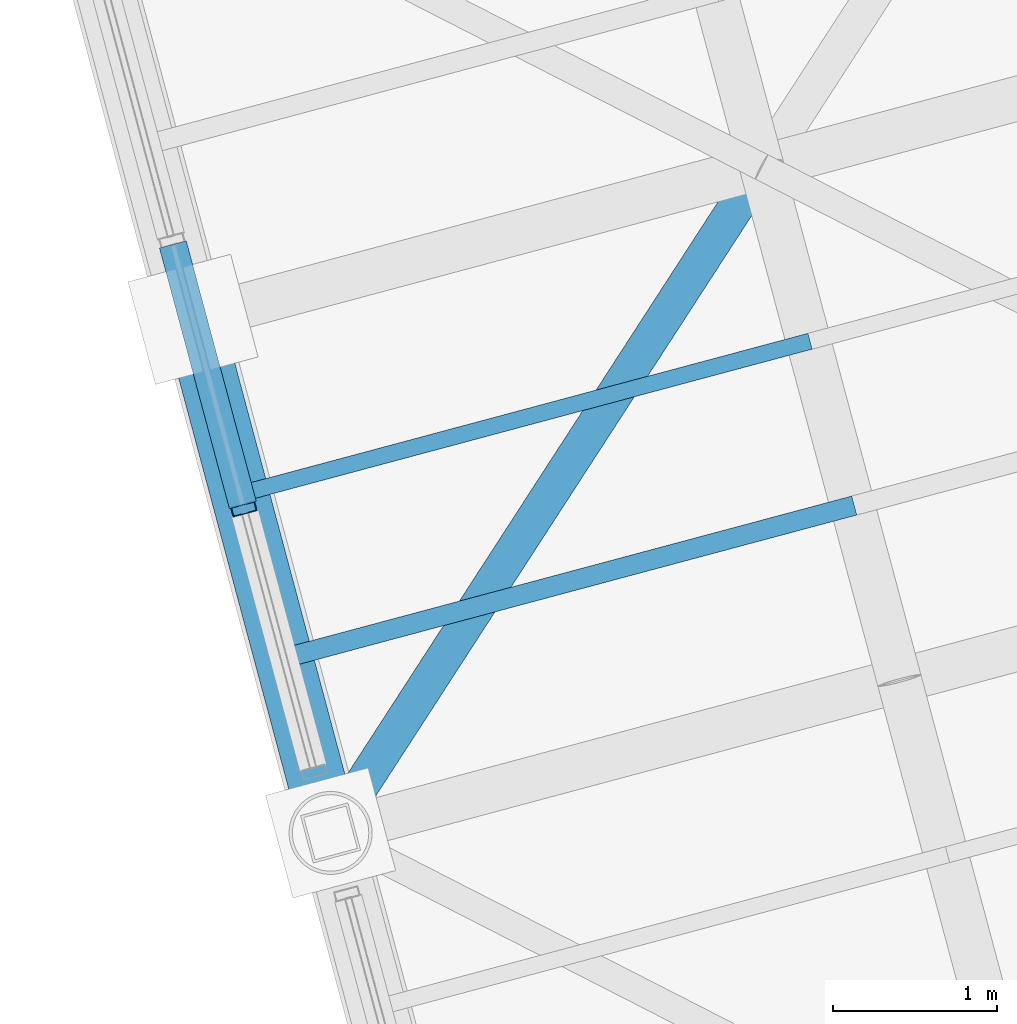
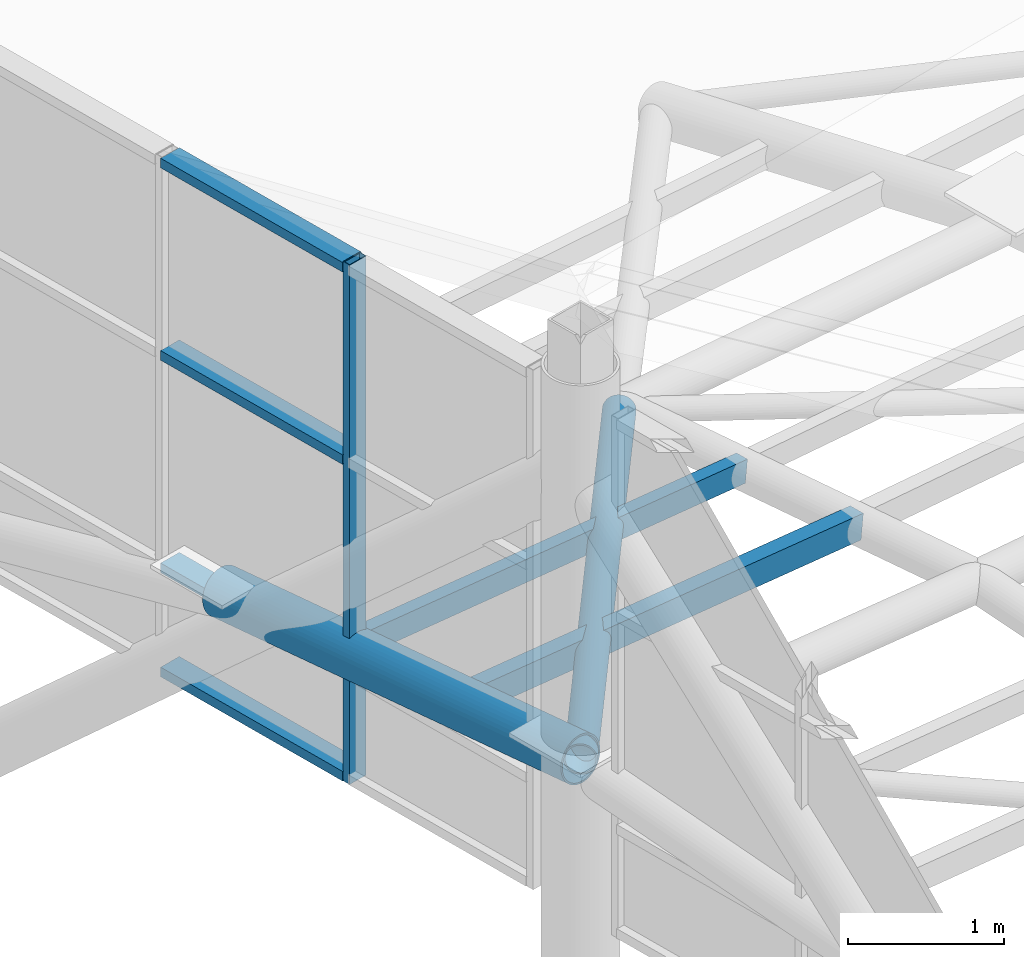
# One storey, part 3 of 28: 9 members, 1 element without a shape of its own.
"""IFC4 building model written with IfcOpenShell, lengths in metres."""

from ifc_helpers import new_model, si_unit, direction, frame, origin, origin_2d, place, context, subcontext, project, spatial, hollow_rectangle, hollow_circle, extrude, material, layer, layer_set, material_profile, profile_set, type_object, element, aggregate, save


model = new_model("IFC4")

# Units and contexts
model_context = context("Model", 3, precision=1e-05, world=origin(), true_north=direction((0.0, 1.0)))
body_context = subcontext(model_context, "Body", "Model", "MODEL_VIEW")
ifc_project = project(units=[si_unit("LENGTHUNIT", "METRE"), si_unit("AREAUNIT", "SQUARE_METRE"), si_unit("VOLUMEUNIT", "CUBIC_METRE"), si_unit("PLANEANGLEUNIT", "RADIAN"), si_unit("MASSUNIT", "GRAM", prefix="KILO")], contexts=[model_context])

# Site, building, storey
site_placement = place(None, origin())
site = spatial("IfcSite", under=ifc_project, at=site_placement, CompositionType="ELEMENT")
building_placement = place(site_placement, origin())
building = spatial("IfcBuilding", under=site, at=building_placement, Name="Ventoquebrada Cableway Terminal", CompositionType="ELEMENT")
storey_placement = place(building_placement, frame((0.0, 0.0, 23.39990234375)))
storey = spatial("IfcBuildingStorey", under=building, at=storey_placement, Name="RF", CompositionType="ELEMENT", Elevation=23.39990234375)

# Members
ifc_material_1 = material(Name="Steel ASTM A500 Grade C", Category="steel")
ifc_material_profile_1 = material_profile(ifc_material_1, hollow_circle(Radius=0.109619140625, WallThickness=0.010009765625, at=origin_2d()), Name="CHS219.1X10")
ifc_profile_set_1 = profile_set([ifc_material_profile_1], Name="Steel ASTM A500 Grade C")
member_type_1 = type_object("IfcMemberType", Name="BRC-GS01", PredefinedType="BRACE", material=ifc_profile_set_1)
member_1_placement = place(storey_placement, frame((48.613037109375, 82.341064453125, 1.10009765625), z_axis=(0.538732586686, 0.831716126562, -0.134221774907), x_axis=(-0.839310782724, 0.543651919892, 0.0)))
element("IfcMember", 1, at=member_1_placement, inside=storey, type_object=member_type_1, Name="Saddle gridshell diagrid brace GBR-0205", PredefinedType="BRACE", context=body_context, shape_type="SweptSolid", body=[
    extrude(hollow_circle(Radius=0.109619140625, WallThickness=0.010009765625, at=origin_2d()), origin(), (0.0, 0.0, 1.0), 4.894775390625),
])
ifc_material_profile_2 = material_profile(ifc_material_1, hollow_circle(Radius=0.177734375, WallThickness=0.012451171875, at=origin_2d()), Name="CHS355.6X12.5")
ifc_profile_set_2 = profile_set([ifc_material_profile_2], Name="Steel ASTM A500 Grade C")
member_type_2 = type_object("IfcMemberType", Name="CHD-GS01", PredefinedType="CHORD", material=ifc_profile_set_2)
member_2_placement = place(storey_placement, frame((48.613037109375, 82.341064453125, 1.10009765625), z_axis=(-0.257697813215, 0.962046901528, -0.089764114908), x_axis=(-0.965946375494, -0.258742342242, 0.0)))
element("IfcMember", 2, at=member_2_placement, inside=storey, type_object=member_type_2, Name="Saddle gridshell arch chord GCH-0019", PredefinedType="CHORD", context=body_context, shape_type="SweptSolid", body=[
    extrude(hollow_circle(Radius=0.177734375, WallThickness=0.012451171875, at=origin_2d()), origin(), (0.0, 0.0, 1.0), 3.263671875),
])

# Curtain wall, members
ifc_material_2 = material(Name="Anodized thermally-broken aluminium", Category="aluminium")
ifc_layer = layer(ifc_material_2, 0.159912109375)
ifc_layer_set = layer_set([ifc_layer], Name="Anodized thermally-broken aluminium")
curtain_wall_type = type_object("IfcCurtainWallType", Name="CW-T50", PredefinedType="USERDEFINED", material=ifc_layer_set)
curtain_wall_placement = place(storey_placement, origin())
curtain_wall = element("IfcCurtainWall", 3, at=curtain_wall_placement, inside=storey, type_object=curtain_wall_type, Name="Unitised glazed curtain wall CW-163", ObjectType="UNITISED CURTAIN WALL", PredefinedType="USERDEFINED")
ifc_material_profile_3 = material_profile(ifc_material_2, hollow_rectangle(XDim=0.06005859375, YDim=0.14990234375, WallThickness=0.00390625, at=origin_2d()), Name="CW-MUL-60X150")
ifc_profile_set_3 = profile_set([ifc_material_profile_3], Name="Anodized thermally-broken aluminium")
member_type_3 = type_object("IfcMemberType", Name="CWM-03", PredefinedType="MULLION", material=ifc_profile_set_3)
member_3_placement = place(storey_placement, frame((48.0830078125, 84.321044921875, -0.06298828125), z_axis=(0.0, 0.0, 1.0), x_axis=(0.258802186477, -0.965930343386, 0.0)))
member_3 = element("IfcMember", 4, at=member_3_placement, type_object=member_type_3, Name="Curtain wall mullion FML-0794", PredefinedType="MULLION", context=body_context, shape_type="SweptSolid", body=[
    extrude(hollow_rectangle(XDim=0.06005859375, YDim=0.14990234375, WallThickness=0.00390625, at=origin_2d()), origin(), (0.0, 0.0, 1.0), 4.068115234375),
])
ifc_material_profile_4 = material_profile(ifc_material_2, hollow_rectangle(XDim=0.074951171875, YDim=0.169921875, WallThickness=0.00439453125, at=origin_2d()), Name="CW-TRN-75X170")
ifc_profile_set_4 = profile_set([ifc_material_profile_4], Name="Anodized thermally-broken aluminium")
member_type_4 = type_object("IfcMemberType", Name="CWT-03", PredefinedType="USERDEFINED", material=ifc_profile_set_4)
member_4_placement = place(storey_placement, frame((47.64892578125, 85.93896484375, -0.02001953125), z_axis=(0.259310305754, -0.965794059481, 0.0), x_axis=(0.0, 0.0, 1.0)))
member_4 = element("IfcMember", 5, at=member_4_placement, type_object=member_type_4, Name="Curtain wall transom FTR-2320", ObjectType="TRANSOM", PredefinedType="USERDEFINED", context=body_context, shape_type="SweptSolid", body=[
    extrude(hollow_rectangle(XDim=0.074951171875, YDim=0.169921875, WallThickness=0.00439453125, at=origin_2d()), origin(), (0.0, 0.0, 1.0), 1.650390625),
])
member_5_placement = place(storey_placement, frame((47.64892578125, 85.93896484375, 0.795166015625), z_axis=(0.259310305754, -0.965794059481, 0.0), x_axis=(0.0, 0.0, 1.0)))
member_5 = element("IfcMember", 6, at=member_5_placement, type_object=member_type_4, Name="Curtain wall transom FTR-2321", ObjectType="TRANSOM", PredefinedType="USERDEFINED", context=body_context, shape_type="SweptSolid", body=[
    extrude(hollow_rectangle(XDim=0.074951171875, YDim=0.169921875, WallThickness=0.00439453125, at=origin_2d()), origin(), (0.0, 0.0, 1.0), 1.650390625),
])
member_6_placement = place(storey_placement, frame((47.64892578125, 85.93896484375, 2.458984375), z_axis=(0.259310305754, -0.965794059481, 0.0), x_axis=(0.0, 0.0, 1.0)))
member_6 = element("IfcMember", 7, at=member_6_placement, type_object=member_type_4, Name="Curtain wall transom FTR-2322", ObjectType="TRANSOM", PredefinedType="USERDEFINED", context=body_context, shape_type="SweptSolid", body=[
    extrude(hollow_rectangle(XDim=0.074951171875, YDim=0.169921875, WallThickness=0.00439453125, at=origin_2d()), origin(), (0.0, 0.0, 1.0), 1.650390625),
])
member_7_placement = place(storey_placement, frame((47.64892578125, 85.93896484375, 3.965087890625), z_axis=(0.259310305754, -0.965794059481, 0.0), x_axis=(0.0, 0.0, 1.0)))
member_7 = element("IfcMember", 8, at=member_7_placement, type_object=member_type_4, Name="Curtain wall transom FTR-2323", ObjectType="TRANSOM", PredefinedType="USERDEFINED", context=body_context, shape_type="SweptSolid", body=[
    extrude(hollow_rectangle(XDim=0.074951171875, YDim=0.169921875, WallThickness=0.00439453125, at=origin_2d()), origin(), (0.0, 0.0, 1.0), 1.650390625),
])
aggregate(curtain_wall, [member_3, member_4, member_5, member_6, member_7])

# Members
ifc_material_profile_5 = material_profile(ifc_material_1, hollow_rectangle(XDim=0.1201171875, YDim=0.199951171875, WallThickness=0.008056640625, at=origin_2d()), Name="RHS200X120X8")
ifc_profile_set_5 = profile_set([ifc_material_profile_5], Name="Steel ASTM A500 Grade C")
member_type_5 = type_object("IfcMemberType", Name="PUR-RF01", PredefinedType="PURLIN", material=ifc_profile_set_5)
member_8_placement = place(storey_placement, frame((48.326904296875, 83.408935546875, 1.0), z_axis=(0.960647996451, 0.25718878692, -0.104925472587), x_axis=(-0.258616326312, 0.965980121827, 0.0)))
element("IfcMember", 9, at=member_8_placement, inside=storey, type_object=member_type_5, Name="Gridshell secondary roof purlin GPR-0206", PredefinedType="PURLIN", context=body_context, shape_type="SweptSolid", body=[
    extrude(hollow_rectangle(XDim=0.1201171875, YDim=0.199951171875, WallThickness=0.008056640625, at=origin_2d()), origin(), (0.0, 0.0, 1.0), 3.62060546875),
])
ifc_material_profile_6 = material_profile(ifc_material_1, hollow_rectangle(XDim=0.10009765625, YDim=0.179931640625, WallThickness=0.008056640625, at=origin_2d()), Name="RHS180X100X8")
ifc_profile_set_6 = profile_set([ifc_material_profile_6], Name="Steel ASTM A500 Grade C")
member_type_6 = type_object("IfcMemberType", Name="PUR-RF02", PredefinedType="PURLIN", material=ifc_profile_set_6)
member_9_placement = place(storey_placement, frame((48.05810546875, 84.4130859375, 0.906982421875), z_axis=(0.96078811886, 0.257446700575, -0.102992169709), x_axis=(-0.258823078531, 0.965924745526, 0.0)))
element("IfcMember", 10, at=member_9_placement, inside=storey, type_object=member_type_6, Name="Gridshell secondary roof purlin GPR-0207", PredefinedType="PURLIN", context=body_context, shape_type="SweptSolid", body=[
    extrude(hollow_rectangle(XDim=0.10009765625, YDim=0.179931640625, WallThickness=0.008056640625, at=origin_2d()), origin(), (0.0, 0.0, 1.0), 3.61962890625),
])

save(model, "model.ifc")
